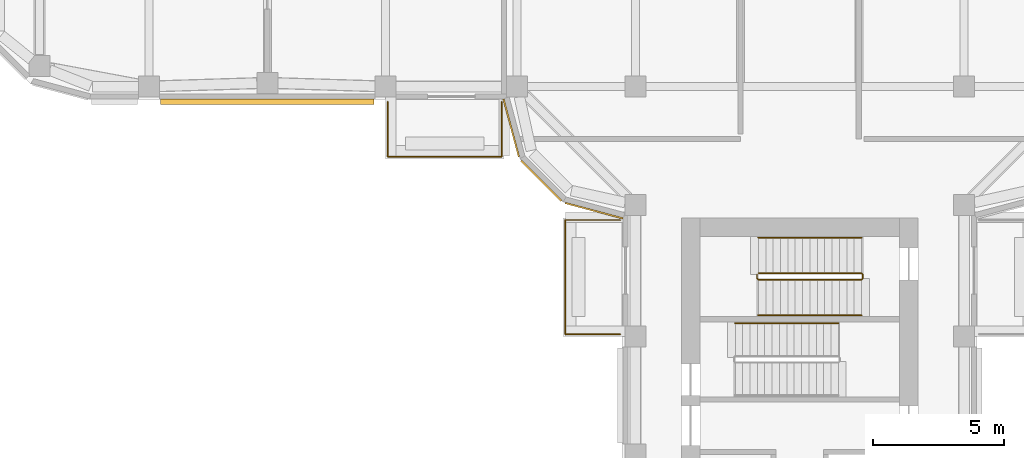
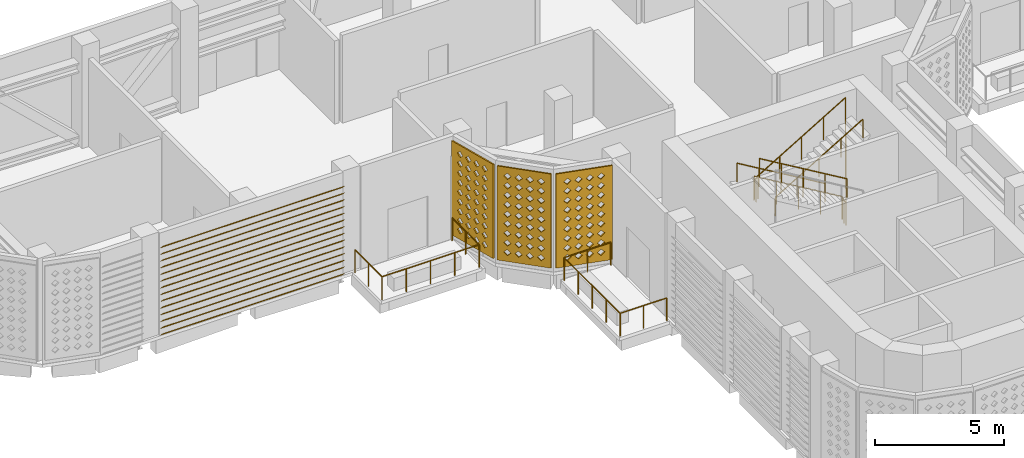
# One storey, part 12 of 21: 6 railings, 3 coverings, 1 shading device.
"""IFC4 building model written with IfcOpenShell, lengths in metres."""

from ifc_helpers import new_model, si_unit, direction, frame, origin, origin_2d, place, context, subcontext, project, spatial, polyline, circle, outline, extrude, source, transform, mapped, material, layer, layer_set, type_object, element, save


model = new_model("IFC4")

# Units and contexts
model_context = context("Model", 3, precision=1e-05, world=origin(), true_north=direction((0.0, 1.0)))
body_context = subcontext(model_context, "Body", "Model", "MODEL_VIEW")
ifc_project = project(units=[si_unit("LENGTHUNIT", "METRE"), si_unit("AREAUNIT", "SQUARE_METRE"), si_unit("VOLUMEUNIT", "CUBIC_METRE"), si_unit("PLANEANGLEUNIT", "RADIAN"), si_unit("MASSUNIT", "GRAM", prefix="KILO")], contexts=[model_context])

# Site, building, storey
site_placement = place(None, origin())
site = spatial("IfcSite", under=ifc_project, at=site_placement, CompositionType="ELEMENT")
building_placement = place(site_placement, origin())
building = spatial("IfcBuilding", under=site, at=building_placement, Name="Zarbagh Exchange Tower", CompositionType="ELEMENT")
storey_placement = place(building_placement, frame((0.0, 0.0, 190.39990234375)))
storey = spatial("IfcBuildingStorey", under=building, at=storey_placement, Name="L46", CompositionType="ELEMENT", Elevation=190.39990234375)

# Railings
ifc_material_1 = material(Name="Stainless steel", Category="steel")
railing_type_1 = type_object("IfcRailingType", Name="Stair guard 1100 mm", PredefinedType="GUARDRAIL", material=ifc_material_1)
railing_1_placement = place(storey_placement, frame((-1.6201171875, -13.39990234375, 2.5)))
element("IfcRailing", 1, at=railing_1_placement, inside=storey, type_object=railing_type_1, Name="ST4 stair guard 1", PredefinedType="GUARDRAIL", context=body_context, shape_type="SweptSolid", body=[
    extrude(circle(Radius=0.02392578125, at=origin_2d()), frame((0.0, 0.0, 1.076171875), z_axis=(0.0, -1.0, 0.0), x_axis=(1.0, 0.0, 0.0)), (0.0, 0.0, 1.0), 0.150146484375),
    extrude(circle(Radius=0.02392578125, at=origin_2d()), frame((0.0, -0.150146484375, 1.076171875), z_axis=(0.27628659633, -0.27628659633, 0.920506074601), x_axis=(0.707106781187, 0.707106781187, 0.0)), (0.0, 0.0, 1.0), 0.18115234375),
    extrude(circle(Radius=0.02392578125, at=origin_2d()), frame((0.050048828125, -0.2001953125, 1.24267578125), z_axis=(0.859310244771, 0.0, 0.511454693235), x_axis=(0.0, 1.0, 0.0)), (0.0, 0.0, 1.0), 4.56201171875),
    extrude(circle(Radius=0.02392578125, at=origin_2d()), frame((3.97021484375, -0.2001953125, 3.576171875), z_axis=(0.009959944465, 0.010008767722, -0.999900307068), x_axis=(1.0, 0.0, 0.0)), (0.0, 0.0, 1.0), 5.00048828125),
    extrude(circle(Radius=0.02392578125, at=origin_2d()), frame((4.02001953125, -0.150146484375, -1.423828125), z_axis=(0.0, 1.0, 0.0), x_axis=(-1.0, 0.0, 0.0)), (0.0, 0.0, 1.0), 0.150146484375),
    extrude(circle(Radius=0.02392578125, at=origin_2d()), frame((4.02001953125, 0.0, -1.423828125), z_axis=(-0.275143339093, 0.275143339093, 0.92119068922), x_axis=(-0.707106781187, -0.707106781187, 0.0)), (0.0, 0.0, 1.0), 0.180908203125),
    extrude(circle(Radius=0.02392578125, at=origin_2d()), frame((3.97021484375, 0.0498046875, -1.25732421875), z_axis=(-0.859310244771, 0.0, 0.511454693235), x_axis=(0.0, -1.0, 0.0)), (0.0, 0.0, 1.0), 4.56201171875),
    extrude(circle(Radius=0.02099609375, at=origin_2d()), origin(), (0.0, 0.0, 1.0), 1.052001953125),
    extrude(circle(Radius=0.02099609375, at=origin_2d()), frame((0.0, -0.150146484375, 0.0)), (0.0, 0.0, 1.0), 1.052001953125),
    extrude(circle(Radius=0.02099609375, at=origin_2d()), frame((0.050048828125, -0.2001953125, 0.166748046875)), (0.0, 0.0, 1.0), 1.052001953125),
    extrude(circle(Radius=0.02099609375, at=origin_2d()), frame((1.030029296875, -0.2001953125, 0.75)), (0.0, 0.0, 1.0), 1.052001953125),
    extrude(circle(Radius=0.02099609375, at=origin_2d()), frame((2.01025390625, -0.2001953125, 1.33349609375)), (0.0, 0.0, 1.0), 1.052001953125),
    extrude(circle(Radius=0.02099609375, at=origin_2d()), frame((2.990234375, -0.2001953125, 1.916748046875)), (0.0, 0.0, 1.0), 1.052001953125),
    extrude(circle(Radius=0.02099609375, at=origin_2d()), frame((3.97021484375, -0.2001953125, 2.5)), (0.0, 0.0, 1.0), 1.052001953125),
    extrude(circle(Radius=0.02099609375, at=origin_2d()), frame((3.980224609375, -0.190185546875, 1.5)), (0.0, 0.0, 1.0), 1.052001953125),
    extrude(circle(Radius=0.02099609375, at=origin_2d()), frame((3.990234375, -0.18017578125, 0.5)), (0.0, 0.0, 1.0), 1.052001953125),
    extrude(circle(Radius=0.02099609375, at=origin_2d()), frame((4.0, -0.170166015625, -0.5)), (0.0, 0.0, 1.0), 1.052001953125),
    extrude(circle(Radius=0.02099609375, at=origin_2d()), frame((4.010009765625, -0.16015625, -1.5)), (0.0, 0.0, 1.0), 1.052001953125),
    extrude(circle(Radius=0.02099609375, at=origin_2d()), frame((4.02001953125, -0.150146484375, -2.5)), (0.0, 0.0, 1.0), 1.052001953125),
    extrude(circle(Radius=0.02099609375, at=origin_2d()), frame((4.02001953125, 0.0, -2.5)), (0.0, 0.0, 1.0), 1.052001953125),
    extrude(circle(Radius=0.02099609375, at=origin_2d()), frame((3.97021484375, 0.0498046875, -2.333251953125)), (0.0, 0.0, 1.0), 1.052001953125),
    extrude(circle(Radius=0.02099609375, at=origin_2d()), frame((2.990234375, 0.0498046875, -1.75)), (0.0, 0.0, 1.0), 1.052001953125),
    extrude(circle(Radius=0.02099609375, at=origin_2d()), frame((2.01025390625, 0.0498046875, -1.16650390625)), (0.0, 0.0, 1.0), 1.052001953125),
    extrude(circle(Radius=0.02099609375, at=origin_2d()), frame((1.030029296875, 0.0498046875, -0.583251953125)), (0.0, 0.0, 1.0), 1.052001953125),
    extrude(circle(Radius=0.02099609375, at=origin_2d()), frame((0.050048828125, 0.0498046875, 0.0)), (0.0, 0.0, 1.0), 1.052001953125),
])
railing_type_2 = type_object("IfcRailingType", Name="Stair handrail 900 mm", PredefinedType="HANDRAIL", material=ifc_material_1)
railing_2_placement = place(storey_placement, frame((1.469970703125, -15.25, 2.666748046875)))
element("IfcRailing", 2, at=railing_2_placement, inside=storey, type_object=railing_type_2, Name="ST3 stair handrail 2", PredefinedType="HANDRAIL", context=body_context, shape_type="SweptSolid", body=[
    extrude(circle(Radius=0.02392578125, at=origin_2d()), frame((0.0, 0.0, 0.8759765625), z_axis=(-0.859296244711, 0.0, 0.511478214419), x_axis=(0.0, -1.0, 0.0)), (0.0, 0.0, 1.0), 4.561767578125),
    extrude(circle(Radius=0.02099609375, at=origin_2d()), origin(), (0.0, 0.0, 1.0), 0.851806640625),
    extrude(circle(Radius=0.02099609375, at=origin_2d()), frame((-0.97998046875, 0.0, 0.583251953125)), (0.0, 0.0, 1.0), 0.851806640625),
    extrude(circle(Radius=0.02099609375, at=origin_2d()), frame((-1.9599609375, 0.0, 1.16650390625)), (0.0, 0.0, 1.0), 0.851806640625),
    extrude(circle(Radius=0.02099609375, at=origin_2d()), frame((-2.93994140625, 0.0, 1.75)), (0.0, 0.0, 1.0), 0.851806640625),
    extrude(circle(Radius=0.02099609375, at=origin_2d()), frame((-3.919921875, 0.0, 2.333251953125)), (0.0, 0.0, 1.0), 0.851806640625),
])
railing_3_placement = place(storey_placement, frame((2.35009765625, -12.0, 0.166748046875)))
element("IfcRailing", 3, at=railing_3_placement, inside=storey, type_object=railing_type_2, Name="ST4 stair handrail 1", PredefinedType="HANDRAIL", context=body_context, shape_type="SweptSolid", body=[
    extrude(circle(Radius=0.02392578125, at=origin_2d()), frame((0.0, 0.0, 0.8759765625), z_axis=(-0.859310244771, 0.0, 0.511454693235), x_axis=(0.0, -1.0, 0.0)), (0.0, 0.0, 1.0), 4.56201171875),
    extrude(circle(Radius=0.02099609375, at=origin_2d()), origin(), (0.0, 0.0, 1.0), 0.851806640625),
    extrude(circle(Radius=0.02099609375, at=origin_2d()), frame((-0.97998046875, 0.0, 0.583251953125)), (0.0, 0.0, 1.0), 0.851806640625),
    extrude(circle(Radius=0.02099609375, at=origin_2d()), frame((-1.9599609375, 0.0, 1.16650390625)), (0.0, 0.0, 1.0), 0.851806640625),
    extrude(circle(Radius=0.02099609375, at=origin_2d()), frame((-2.940185546875, 0.0, 1.75)), (0.0, 0.0, 1.0), 0.851806640625),
    extrude(circle(Radius=0.02099609375, at=origin_2d()), frame((-3.920166015625, 0.0, 2.333251953125)), (0.0, 0.0, 1.0), 0.851806640625),
])
railing_4_placement = place(storey_placement, frame((-1.570068359375, -14.949951171875, 2.666748046875)))
element("IfcRailing", 4, at=railing_4_placement, inside=storey, type_object=railing_type_2, Name="ST4 stair handrail 2", PredefinedType="HANDRAIL", context=body_context, shape_type="SweptSolid", body=[
    extrude(circle(Radius=0.02392578125, at=origin_2d()), frame((0.0, 0.0, 0.8759765625), z_axis=(0.859310244771, 0.0, 0.511454693235), x_axis=(0.0, 1.0, 0.0)), (0.0, 0.0, 1.0), 4.56201171875),
    extrude(circle(Radius=0.02099609375, at=origin_2d()), origin(), (0.0, 0.0, 1.0), 0.851806640625),
    extrude(circle(Radius=0.02099609375, at=origin_2d()), frame((0.97998046875, 0.0, 0.583251953125)), (0.0, 0.0, 1.0), 0.851806640625),
    extrude(circle(Radius=0.02099609375, at=origin_2d()), frame((1.9599609375, 0.0, 1.16650390625)), (0.0, 0.0, 1.0), 0.851806640625),
    extrude(circle(Radius=0.02099609375, at=origin_2d()), frame((2.940185546875, 0.0, 1.75)), (0.0, 0.0, 1.0), 0.851806640625),
    extrude(circle(Radius=0.02099609375, at=origin_2d()), frame((3.920166015625, 0.0, 2.333251953125)), (0.0, 0.0, 1.0), 0.851806640625),
])
ifc_material_2 = material(Name="Stainless steel and laminated glass", Category="steel")
railing_type_3 = type_object("IfcRailingType", Name="Terrace guard, glass balustrade 1.1 m", PredefinedType="GUARDRAIL", material=ifc_material_2)
railing_5_placement = place(storey_placement, frame((-6.830078125, -15.669921875, 0.0)))
element("IfcRailing", 5, at=railing_5_placement, inside=storey, type_object=railing_type_3, Name="TG01 terrace guard", PredefinedType="GUARDRAIL", context=body_context, shape_type="SweptSolid", body=[
    extrude(circle(Radius=0.02490234375, at=origin_2d()), frame((0.0, 0.0, 1.0751953125), z_axis=(-1.0, 0.0, 0.0), x_axis=(0.0, -1.0, 0.0)), (0.0, 0.0, 1.0), 2.08984375),
    extrude(circle(Radius=0.02490234375, at=origin_2d()), frame((-2.08984375, 0.0, 1.0751953125), z_axis=(0.0, 1.0, 0.0), x_axis=(-1.0, 0.0, 0.0)), (0.0, 0.0, 1.0), 4.33984375),
    extrude(circle(Radius=0.02490234375, at=origin_2d()), frame((-2.08984375, 4.33984375, 1.0751953125), z_axis=(1.0, 0.0, 0.0), x_axis=(0.0, 1.0, 0.0)), (0.0, 0.0, 1.0), 2.08984375),
    extrude(circle(Radius=0.02490234375, at=origin_2d()), origin(), (0.0, 0.0, 1.0), 1.050048828125),
    extrude(circle(Radius=0.02490234375, at=origin_2d()), frame((-1.044921875, 0.0, 0.0)), (0.0, 0.0, 1.0), 1.050048828125),
    extrude(circle(Radius=0.02490234375, at=origin_2d()), frame((-2.08984375, 0.0, 0.0)), (0.0, 0.0, 1.0), 1.050048828125),
    extrude(circle(Radius=0.02490234375, at=origin_2d()), frame((-2.08984375, 1.0849609375, 0.0)), (0.0, 0.0, 1.0), 1.050048828125),
    extrude(circle(Radius=0.02490234375, at=origin_2d()), frame((-2.08984375, 2.169921875, 0.0)), (0.0, 0.0, 1.0), 1.050048828125),
    extrude(circle(Radius=0.02490234375, at=origin_2d()), frame((-2.08984375, 3.2548828125, 0.0)), (0.0, 0.0, 1.0), 1.050048828125),
    extrude(circle(Radius=0.02490234375, at=origin_2d()), frame((-2.08984375, 4.33984375, 0.0)), (0.0, 0.0, 1.0), 1.050048828125),
    extrude(circle(Radius=0.02490234375, at=origin_2d()), frame((-1.044921875, 4.33984375, 0.0)), (0.0, 0.0, 1.0), 1.050048828125),
    extrude(circle(Radius=0.02490234375, at=origin_2d()), frame((0.0, 4.33984375, 0.0)), (0.0, 0.0, 1.0), 1.050048828125),
])
railing_6_placement = place(storey_placement, frame((-11.330078125, -6.830078125, 0.0)))
element("IfcRailing", 6, at=railing_6_placement, inside=storey, type_object=railing_type_3, Name="TG01 terrace guard", PredefinedType="GUARDRAIL", context=body_context, shape_type="SweptSolid", body=[
    extrude(circle(Radius=0.02490234375, at=origin_2d()), frame((0.0, 0.0, 1.0751953125), z_axis=(0.0, -1.0, 0.0), x_axis=(1.0, 0.0, 0.0)), (0.0, 0.0, 1.0), 2.08984375),
    extrude(circle(Radius=0.02490234375, at=origin_2d()), frame((0.0, -2.08984375, 1.0751953125), z_axis=(-1.0, 0.0, 0.0), x_axis=(0.0, -1.0, 0.0)), (0.0, 0.0, 1.0), 4.33984375),
    extrude(circle(Radius=0.02490234375, at=origin_2d()), frame((-4.33984375, -2.08984375, 1.0751953125), z_axis=(0.0, 1.0, 0.0), x_axis=(-1.0, 0.0, 0.0)), (0.0, 0.0, 1.0), 2.08984375),
    extrude(circle(Radius=0.02490234375, at=origin_2d()), origin(), (0.0, 0.0, 1.0), 1.050048828125),
    extrude(circle(Radius=0.02490234375, at=origin_2d()), frame((0.0, -1.044921875, 0.0)), (0.0, 0.0, 1.0), 1.050048828125),
    extrude(circle(Radius=0.02490234375, at=origin_2d()), frame((0.0, -2.08984375, 0.0)), (0.0, 0.0, 1.0), 1.050048828125),
    extrude(circle(Radius=0.02490234375, at=origin_2d()), frame((-1.0849609375, -2.08984375, 0.0)), (0.0, 0.0, 1.0), 1.050048828125),
    extrude(circle(Radius=0.02490234375, at=origin_2d()), frame((-2.169921875, -2.08984375, 0.0)), (0.0, 0.0, 1.0), 1.050048828125),
    extrude(circle(Radius=0.02490234375, at=origin_2d()), frame((-3.2548828125, -2.08984375, 0.0)), (0.0, 0.0, 1.0), 1.050048828125),
    extrude(circle(Radius=0.02490234375, at=origin_2d()), frame((-4.33984375, -2.08984375, 0.0)), (0.0, 0.0, 1.0), 1.050048828125),
    extrude(circle(Radius=0.02490234375, at=origin_2d()), frame((-4.33984375, -1.044921875, 0.0)), (0.0, 0.0, 1.0), 1.050048828125),
    extrude(circle(Radius=0.02490234375, at=origin_2d()), frame((-4.33984375, 0.0, 0.0)), (0.0, 0.0, 1.0), 1.050048828125),
])

# Coverings
ifc_material_3 = material(Name="Glass-fibre reinforced concrete GFRC C50/60", Category="concrete")
ifc_layer = layer(ifc_material_3, 0.06005859375)
ifc_layer_set = layer_set([ifc_layer], Name="SCREEN jali panel, GFRC")
covering_type = type_object("IfcCoveringType", Name="SCREEN jali panel, GFRC", PredefinedType="CLADDING", material=ifc_layer_set)
shared_shape_1 = source(origin(), body_context, "Body", "SweptSolid", [
    extrude(outline(polyline([(0.0, 0.0), (2.1650390625, 0.0), (2.1650390625, 4.449951171875), (0.0, 4.449951171875), (0.0, 0.0)]), holes=[polyline([(0.257568359375, 0.425048828125), (0.407470703125, 0.27490234375), (0.5576171875, 0.425048828125), (0.407470703125, 0.574951171875), (0.257568359375, 0.425048828125)]), polyline([(0.257568359375, 0.875), (0.407470703125, 0.72509765625), (0.5576171875, 0.875), (0.407470703125, 1.02490234375), (0.257568359375, 0.875)]), polyline([(0.257568359375, 1.324951171875), (0.407470703125, 1.175048828125), (0.5576171875, 1.324951171875), (0.407470703125, 1.47509765625), (0.257568359375, 1.324951171875)]), polyline([(0.257568359375, 1.77490234375), (0.407470703125, 1.625), (0.5576171875, 1.77490234375), (0.407470703125, 1.925048828125), (0.257568359375, 1.77490234375)]), polyline([(0.257568359375, 2.22509765625), (0.407470703125, 2.074951171875), (0.5576171875, 2.22509765625), (0.407470703125, 2.375), (0.257568359375, 2.22509765625)]), polyline([(0.257568359375, 2.675048828125), (0.407470703125, 2.52490234375), (0.5576171875, 2.675048828125), (0.407470703125, 2.824951171875), (0.257568359375, 2.675048828125)]), polyline([(0.257568359375, 3.125), (0.407470703125, 2.97509765625), (0.5576171875, 3.125), (0.407470703125, 3.27490234375), (0.257568359375, 3.125)]), polyline([(0.257568359375, 3.574951171875), (0.407470703125, 3.425048828125), (0.5576171875, 3.574951171875), (0.407470703125, 3.72509765625), (0.257568359375, 3.574951171875)]), polyline([(0.257568359375, 4.02490234375), (0.407470703125, 3.875), (0.5576171875, 4.02490234375), (0.407470703125, 4.175048828125), (0.257568359375, 4.02490234375)]), polyline([(0.70751953125, 0.425048828125), (0.857421875, 0.27490234375), (1.007568359375, 0.425048828125), (0.857421875, 0.574951171875), (0.70751953125, 0.425048828125)]), polyline([(0.70751953125, 0.875), (0.857421875, 0.72509765625), (1.007568359375, 0.875), (0.857421875, 1.02490234375), (0.70751953125, 0.875)]), polyline([(0.70751953125, 1.324951171875), (0.857421875, 1.175048828125), (1.007568359375, 1.324951171875), (0.857421875, 1.47509765625), (0.70751953125, 1.324951171875)]), polyline([(0.70751953125, 1.77490234375), (0.857421875, 1.625), (1.007568359375, 1.77490234375), (0.857421875, 1.925048828125), (0.70751953125, 1.77490234375)]), polyline([(0.70751953125, 2.22509765625), (0.857421875, 2.074951171875), (1.007568359375, 2.22509765625), (0.857421875, 2.375), (0.70751953125, 2.22509765625)]), polyline([(0.70751953125, 2.675048828125), (0.857421875, 2.52490234375), (1.007568359375, 2.675048828125), (0.857421875, 2.824951171875), (0.70751953125, 2.675048828125)]), polyline([(0.70751953125, 3.125), (0.857421875, 2.97509765625), (1.007568359375, 3.125), (0.857421875, 3.27490234375), (0.70751953125, 3.125)]), polyline([(0.70751953125, 3.574951171875), (0.857421875, 3.425048828125), (1.007568359375, 3.574951171875), (0.857421875, 3.72509765625), (0.70751953125, 3.574951171875)]), polyline([(0.70751953125, 4.02490234375), (0.857421875, 3.875), (1.007568359375, 4.02490234375), (0.857421875, 4.175048828125), (0.70751953125, 4.02490234375)]), polyline([(1.157470703125, 0.425048828125), (1.3076171875, 0.27490234375), (1.45751953125, 0.425048828125), (1.3076171875, 0.574951171875), (1.157470703125, 0.425048828125)]), polyline([(1.157470703125, 0.875), (1.3076171875, 0.72509765625), (1.45751953125, 0.875), (1.3076171875, 1.02490234375), (1.157470703125, 0.875)]), polyline([(1.157470703125, 1.324951171875), (1.3076171875, 1.175048828125), (1.45751953125, 1.324951171875), (1.3076171875, 1.47509765625), (1.157470703125, 1.324951171875)]), polyline([(1.157470703125, 1.77490234375), (1.3076171875, 1.625), (1.45751953125, 1.77490234375), (1.3076171875, 1.925048828125), (1.157470703125, 1.77490234375)]), polyline([(1.157470703125, 2.22509765625), (1.3076171875, 2.074951171875), (1.45751953125, 2.22509765625), (1.3076171875, 2.375), (1.157470703125, 2.22509765625)]), polyline([(1.157470703125, 2.675048828125), (1.3076171875, 2.52490234375), (1.45751953125, 2.675048828125), (1.3076171875, 2.824951171875), (1.157470703125, 2.675048828125)]), polyline([(1.157470703125, 3.125), (1.3076171875, 2.97509765625), (1.45751953125, 3.125), (1.3076171875, 3.27490234375), (1.157470703125, 3.125)]), polyline([(1.157470703125, 3.574951171875), (1.3076171875, 3.425048828125), (1.45751953125, 3.574951171875), (1.3076171875, 3.72509765625), (1.157470703125, 3.574951171875)]), polyline([(1.157470703125, 4.02490234375), (1.3076171875, 3.875), (1.45751953125, 4.02490234375), (1.3076171875, 4.175048828125), (1.157470703125, 4.02490234375)]), polyline([(1.607421875, 0.425048828125), (1.757568359375, 0.27490234375), (1.907470703125, 0.425048828125), (1.757568359375, 0.574951171875), (1.607421875, 0.425048828125)]), polyline([(1.607421875, 0.875), (1.757568359375, 0.72509765625), (1.907470703125, 0.875), (1.757568359375, 1.02490234375), (1.607421875, 0.875)]), polyline([(1.607421875, 1.324951171875), (1.757568359375, 1.175048828125), (1.907470703125, 1.324951171875), (1.757568359375, 1.47509765625), (1.607421875, 1.324951171875)]), polyline([(1.607421875, 1.77490234375), (1.757568359375, 1.625), (1.907470703125, 1.77490234375), (1.757568359375, 1.925048828125), (1.607421875, 1.77490234375)]), polyline([(1.607421875, 2.22509765625), (1.757568359375, 2.074951171875), (1.907470703125, 2.22509765625), (1.757568359375, 2.375), (1.607421875, 2.22509765625)]), polyline([(1.607421875, 2.675048828125), (1.757568359375, 2.52490234375), (1.907470703125, 2.675048828125), (1.757568359375, 2.824951171875), (1.607421875, 2.675048828125)]), polyline([(1.607421875, 3.125), (1.757568359375, 2.97509765625), (1.907470703125, 3.125), (1.757568359375, 3.27490234375), (1.607421875, 3.125)]), polyline([(1.607421875, 3.574951171875), (1.757568359375, 3.425048828125), (1.907470703125, 3.574951171875), (1.757568359375, 3.72509765625), (1.607421875, 3.574951171875)]), polyline([(1.607421875, 4.02490234375), (1.757568359375, 3.875), (1.907470703125, 4.02490234375), (1.757568359375, 4.175048828125), (1.607421875, 4.02490234375)])]), origin(), (0.0, 0.0, 1.0), 0.06005859375),
])
placement = place(storey_placement, origin())
element("IfcCovering", 7, at=placement, inside=storey, type_object=covering_type, Name="JS35 jali screen", PredefinedType="CLADDING", context=body_context, shape_type="MappedRepresentation", body=[
    mapped(shared_shape_1, transform((-10.574951171875, -9.0439453125, 0.2001953125), x_axis=(0.707106781187, -0.707106781187, 0.0), y_axis=(0.0, 0.0, 1.0), z_axis=(-0.707106781187, -0.707106781187, 0.0))),
])
shared_shape_2 = source(origin(), body_context, "Body", "SweptSolid", [
    extrude(outline(polyline([(0.0, 0.0), (2.277099609375, 0.0), (2.277099609375, 4.449951171875), (0.0, 4.449951171875), (0.0, 0.0)]), holes=[polyline([(0.313720703125, 0.425048828125), (0.463623046875, 0.27490234375), (0.613525390625, 0.425048828125), (0.463623046875, 0.574951171875), (0.313720703125, 0.425048828125)]), polyline([(0.313720703125, 0.875), (0.463623046875, 0.72509765625), (0.613525390625, 0.875), (0.463623046875, 1.02490234375), (0.313720703125, 0.875)]), polyline([(0.313720703125, 1.324951171875), (0.463623046875, 1.175048828125), (0.613525390625, 1.324951171875), (0.463623046875, 1.47509765625), (0.313720703125, 1.324951171875)]), polyline([(0.313720703125, 1.77490234375), (0.463623046875, 1.625), (0.613525390625, 1.77490234375), (0.463623046875, 1.925048828125), (0.313720703125, 1.77490234375)]), polyline([(0.313720703125, 2.22509765625), (0.463623046875, 2.074951171875), (0.613525390625, 2.22509765625), (0.463623046875, 2.375), (0.313720703125, 2.22509765625)]), polyline([(0.313720703125, 2.675048828125), (0.463623046875, 2.52490234375), (0.613525390625, 2.675048828125), (0.463623046875, 2.824951171875), (0.313720703125, 2.675048828125)]), polyline([(0.313720703125, 3.125), (0.463623046875, 2.97509765625), (0.613525390625, 3.125), (0.463623046875, 3.27490234375), (0.313720703125, 3.125)]), polyline([(0.313720703125, 3.574951171875), (0.463623046875, 3.425048828125), (0.613525390625, 3.574951171875), (0.463623046875, 3.72509765625), (0.313720703125, 3.574951171875)]), polyline([(0.313720703125, 4.02490234375), (0.463623046875, 3.875), (0.613525390625, 4.02490234375), (0.463623046875, 4.175048828125), (0.313720703125, 4.02490234375)]), polyline([(0.763671875, 0.425048828125), (0.91357421875, 0.27490234375), (1.063720703125, 0.425048828125), (0.91357421875, 0.574951171875), (0.763671875, 0.425048828125)]), polyline([(0.763671875, 0.875), (0.91357421875, 0.72509765625), (1.063720703125, 0.875), (0.91357421875, 1.02490234375), (0.763671875, 0.875)]), polyline([(0.763671875, 1.324951171875), (0.91357421875, 1.175048828125), (1.063720703125, 1.324951171875), (0.91357421875, 1.47509765625), (0.763671875, 1.324951171875)]), polyline([(0.763671875, 1.77490234375), (0.91357421875, 1.625), (1.063720703125, 1.77490234375), (0.91357421875, 1.925048828125), (0.763671875, 1.77490234375)]), polyline([(0.763671875, 2.22509765625), (0.91357421875, 2.074951171875), (1.063720703125, 2.22509765625), (0.91357421875, 2.375), (0.763671875, 2.22509765625)]), polyline([(0.763671875, 2.675048828125), (0.91357421875, 2.52490234375), (1.063720703125, 2.675048828125), (0.91357421875, 2.824951171875), (0.763671875, 2.675048828125)]), polyline([(0.763671875, 3.125), (0.91357421875, 2.97509765625), (1.063720703125, 3.125), (0.91357421875, 3.27490234375), (0.763671875, 3.125)]), polyline([(0.763671875, 3.574951171875), (0.91357421875, 3.425048828125), (1.063720703125, 3.574951171875), (0.91357421875, 3.72509765625), (0.763671875, 3.574951171875)]), polyline([(0.763671875, 4.02490234375), (0.91357421875, 3.875), (1.063720703125, 4.02490234375), (0.91357421875, 4.175048828125), (0.763671875, 4.02490234375)]), polyline([(1.213623046875, 0.425048828125), (1.363525390625, 0.27490234375), (1.513671875, 0.425048828125), (1.363525390625, 0.574951171875), (1.213623046875, 0.425048828125)]), polyline([(1.213623046875, 0.875), (1.363525390625, 0.72509765625), (1.513671875, 0.875), (1.363525390625, 1.02490234375), (1.213623046875, 0.875)]), polyline([(1.213623046875, 1.324951171875), (1.363525390625, 1.175048828125), (1.513671875, 1.324951171875), (1.363525390625, 1.47509765625), (1.213623046875, 1.324951171875)]), polyline([(1.213623046875, 1.77490234375), (1.363525390625, 1.625), (1.513671875, 1.77490234375), (1.363525390625, 1.925048828125), (1.213623046875, 1.77490234375)]), polyline([(1.213623046875, 2.22509765625), (1.363525390625, 2.074951171875), (1.513671875, 2.22509765625), (1.363525390625, 2.375), (1.213623046875, 2.22509765625)]), polyline([(1.213623046875, 2.675048828125), (1.363525390625, 2.52490234375), (1.513671875, 2.675048828125), (1.363525390625, 2.824951171875), (1.213623046875, 2.675048828125)]), polyline([(1.213623046875, 3.125), (1.363525390625, 2.97509765625), (1.513671875, 3.125), (1.363525390625, 3.27490234375), (1.213623046875, 3.125)]), polyline([(1.213623046875, 3.574951171875), (1.363525390625, 3.425048828125), (1.513671875, 3.574951171875), (1.363525390625, 3.72509765625), (1.213623046875, 3.574951171875)]), polyline([(1.213623046875, 4.02490234375), (1.363525390625, 3.875), (1.513671875, 4.02490234375), (1.363525390625, 4.175048828125), (1.213623046875, 4.02490234375)]), polyline([(1.66357421875, 0.425048828125), (1.813720703125, 0.27490234375), (1.963623046875, 0.425048828125), (1.813720703125, 0.574951171875), (1.66357421875, 0.425048828125)]), polyline([(1.66357421875, 0.875), (1.813720703125, 0.72509765625), (1.963623046875, 0.875), (1.813720703125, 1.02490234375), (1.66357421875, 0.875)]), polyline([(1.66357421875, 1.324951171875), (1.813720703125, 1.175048828125), (1.963623046875, 1.324951171875), (1.813720703125, 1.47509765625), (1.66357421875, 1.324951171875)]), polyline([(1.66357421875, 1.77490234375), (1.813720703125, 1.625), (1.963623046875, 1.77490234375), (1.813720703125, 1.925048828125), (1.66357421875, 1.77490234375)]), polyline([(1.66357421875, 2.22509765625), (1.813720703125, 2.074951171875), (1.963623046875, 2.22509765625), (1.813720703125, 2.375), (1.66357421875, 2.22509765625)]), polyline([(1.66357421875, 2.675048828125), (1.813720703125, 2.52490234375), (1.963623046875, 2.675048828125), (1.813720703125, 2.824951171875), (1.66357421875, 2.675048828125)]), polyline([(1.66357421875, 3.125), (1.813720703125, 2.97509765625), (1.963623046875, 3.125), (1.813720703125, 3.27490234375), (1.66357421875, 3.125)]), polyline([(1.66357421875, 3.574951171875), (1.813720703125, 3.425048828125), (1.963623046875, 3.574951171875), (1.813720703125, 3.72509765625), (1.66357421875, 3.574951171875)]), polyline([(1.66357421875, 4.02490234375), (1.813720703125, 3.875), (1.963623046875, 4.02490234375), (1.813720703125, 4.175048828125), (1.66357421875, 4.02490234375)])]), origin(), (0.0, 0.0, 1.0), 0.06005859375),
])
element("IfcCovering", 8, at=placement, inside=storey, type_object=covering_type, Name="JS34 jali screen", PredefinedType="CLADDING", context=body_context, shape_type="MappedRepresentation", body=[
    mapped(shared_shape_2, transform((-11.238525390625, -6.7158203125, 0.2001953125), x_axis=(0.258825057666, -0.965924215207, 0.0), y_axis=(0.0, 0.0, 1.0), z_axis=(-0.965924215207, -0.258825057666, 0.0))),
])
element("IfcCovering", 9, at=placement, inside=storey, type_object=covering_type, Name="JS36 jali screen", PredefinedType="CLADDING", context=body_context, shape_type="MappedRepresentation", body=[
    mapped(shared_shape_2, transform((-8.91552734375, -10.64892578125, 0.2001953125), x_axis=(0.965924215207, -0.258825057666, 0.0), y_axis=(0.0, 0.0, 1.0), z_axis=(-0.258825057666, -0.965924215207, 0.0))),
])

# Shading device
ifc_material_4 = material(Name="Anodised aluminium", Category="aluminium")
shading_device_type = type_object("IfcShadingDeviceType", Name="LOUVRE plant louvre, fixed blades", PredefinedType="USERDEFINED", material=ifc_material_4)
shared_shape_3 = source(origin(), body_context, "Body", "SweptSolid", [
    extrude(outline(polyline([(0.0, 0.199951171875), (0.199951171875, 0.0), (0.199951171875, -0.02001953125), (0.0, 0.179931640625), (0.0, 0.199951171875)])), origin(), (0.0, 0.0, 1.0), 8.1201171875),
])
element("IfcShadingDevice", 10, at=placement, inside=storey, type_object=shading_device_type, Name="LV15 plant louvre", ObjectType="LOUVRE", PredefinedType="USERDEFINED", context=body_context, shape_type="MappedRepresentation", body=[
    mapped(shared_shape_3, transform((-24.31005859375, -6.72998046875, 0.2001953125), x_axis=(0.0, -1.0, 0.0), y_axis=(0.0, 0.0, -1.0), z_axis=(1.0, 0.0, 0.0))),
    mapped(shared_shape_3, transform((-24.31005859375, -6.72998046875, 0.51806640625), x_axis=(0.0, -1.0, 0.0), y_axis=(0.0, 0.0, -1.0), z_axis=(1.0, 0.0, 0.0))),
    mapped(shared_shape_3, transform((-24.31005859375, -6.72998046875, 0.835693359375), x_axis=(0.0, -1.0, 0.0), y_axis=(0.0, 0.0, -1.0), z_axis=(1.0, 0.0, 0.0))),
    mapped(shared_shape_3, transform((-24.31005859375, -6.72998046875, 1.153564453125), x_axis=(0.0, -1.0, 0.0), y_axis=(0.0, 0.0, -1.0), z_axis=(1.0, 0.0, 0.0))),
    mapped(shared_shape_3, transform((-24.31005859375, -6.72998046875, 1.471435546875), x_axis=(0.0, -1.0, 0.0), y_axis=(0.0, 0.0, -1.0), z_axis=(1.0, 0.0, 0.0))),
    mapped(shared_shape_3, transform((-24.31005859375, -6.72998046875, 1.789306640625), x_axis=(0.0, -1.0, 0.0), y_axis=(0.0, 0.0, -1.0), z_axis=(1.0, 0.0, 0.0))),
    mapped(shared_shape_3, transform((-24.31005859375, -6.72998046875, 2.107177734375), x_axis=(0.0, -1.0, 0.0), y_axis=(0.0, 0.0, -1.0), z_axis=(1.0, 0.0, 0.0))),
    mapped(shared_shape_3, transform((-24.31005859375, -6.72998046875, 2.425048828125), x_axis=(0.0, -1.0, 0.0), y_axis=(0.0, 0.0, -1.0), z_axis=(1.0, 0.0, 0.0))),
    mapped(shared_shape_3, transform((-24.31005859375, -6.72998046875, 2.742919921875), x_axis=(0.0, -1.0, 0.0), y_axis=(0.0, 0.0, -1.0), z_axis=(1.0, 0.0, 0.0))),
    mapped(shared_shape_3, transform((-24.31005859375, -6.72998046875, 3.060791015625), x_axis=(0.0, -1.0, 0.0), y_axis=(0.0, 0.0, -1.0), z_axis=(1.0, 0.0, 0.0))),
    mapped(shared_shape_3, transform((-24.31005859375, -6.72998046875, 3.378662109375), x_axis=(0.0, -1.0, 0.0), y_axis=(0.0, 0.0, -1.0), z_axis=(1.0, 0.0, 0.0))),
    mapped(shared_shape_3, transform((-24.31005859375, -6.72998046875, 3.696533203125), x_axis=(0.0, -1.0, 0.0), y_axis=(0.0, 0.0, -1.0), z_axis=(1.0, 0.0, 0.0))),
    mapped(shared_shape_3, transform((-24.31005859375, -6.72998046875, 4.014404296875), x_axis=(0.0, -1.0, 0.0), y_axis=(0.0, 0.0, -1.0), z_axis=(1.0, 0.0, 0.0))),
    mapped(shared_shape_3, transform((-24.31005859375, -6.72998046875, 4.332275390625), x_axis=(0.0, -1.0, 0.0), y_axis=(0.0, 0.0, -1.0), z_axis=(1.0, 0.0, 0.0))),
])

save(model, "model.ifc")
